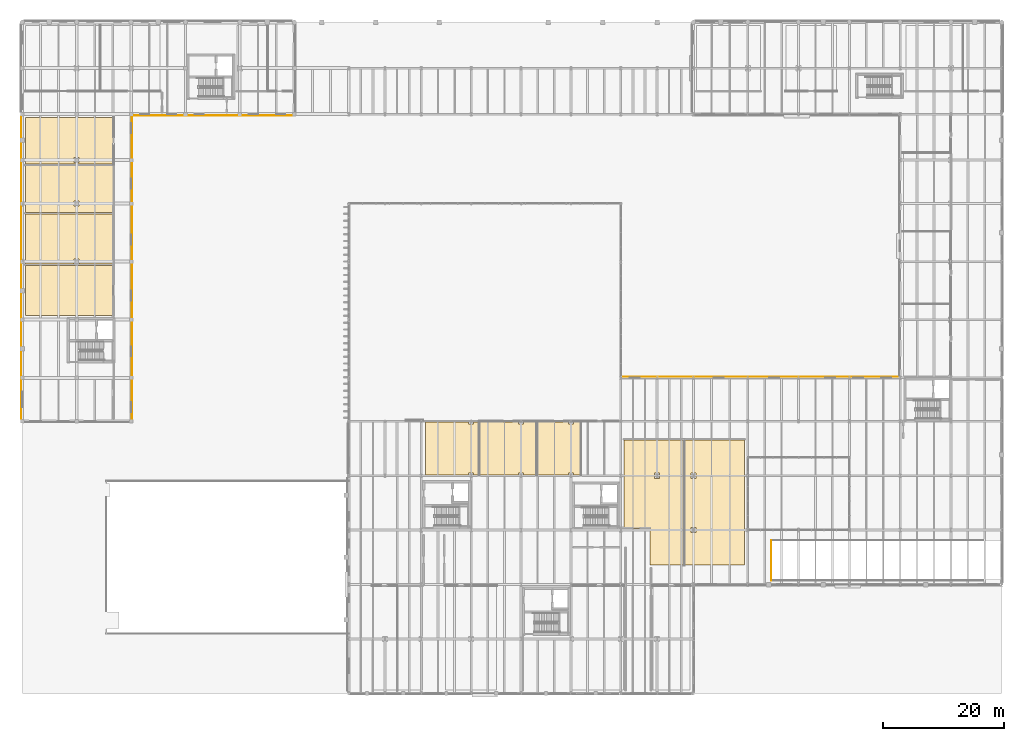
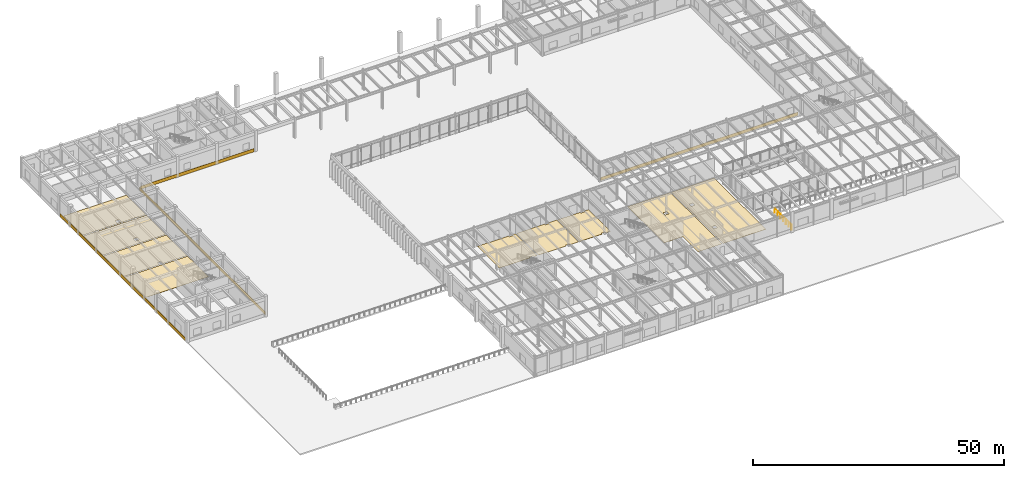
# One storey, part 55 of 64: 13 coverings, 1 railing.
"""IFC4 building model written with IfcOpenShell, lengths in metres."""

from ifc_helpers import new_model, si_unit, direction, frame, origin, origin_2d, place, context, subcontext, project, spatial, polyline, rectangle, circle, outline, extrude, material, layer, layer_set, type_object, element, save


model = new_model("IFC4")

# Units and contexts
model_context = context("Model", 3, precision=1e-05, world=origin(), true_north=direction((0.0, 1.0)))
body_context = subcontext(model_context, "Body", "Model", "MODEL_VIEW")
ifc_project = project(units=[si_unit("LENGTHUNIT", "METRE"), si_unit("AREAUNIT", "SQUARE_METRE"), si_unit("VOLUMEUNIT", "CUBIC_METRE"), si_unit("PLANEANGLEUNIT", "RADIAN"), si_unit("MASSUNIT", "GRAM", prefix="KILO")], contexts=[model_context])

# Site, building, storey
site_placement = place(None, origin())
site = spatial("IfcSite", under=ifc_project, at=site_placement, CompositionType="ELEMENT")
building_placement = place(site_placement, origin())
building = spatial("IfcBuilding", under=site, at=building_placement, Name="Montealbar Specialist Clinic", CompositionType="ELEMENT")
storey_placement = place(building_placement, origin())
storey = spatial("IfcBuildingStorey", under=building, at=storey_placement, Name="L00", CompositionType="ELEMENT", Elevation=0.0)

# Coverings
ifc_material_1 = material(Name="Guadarrama granite ashlar", Category="masonry")
ifc_layer_1 = layer(ifc_material_1, 0.06005859375, Name="Guadarrama granite ashlar", Category="masonry")
ifc_layer_set_1 = layer_set([ifc_layer_1], Name="Guadarrama granite ashlar")
covering_type_1 = type_object("IfcCoveringType", Name="COV-CLAD-GRANITE", PredefinedType="CLADDING", material=ifc_layer_set_1)
covering_1_placement = place(storey_placement, frame((31.5, 95.596923828125, 0.02978515625), z_axis=(0.0, 0.0, 1.0), x_axis=(-1.0, 0.0, 0.0)))
element("IfcCovering", 1, at=covering_1_placement, inside=storey, type_object=covering_type_1, Name="Facade Plinth Cladding Band L00-019", PredefinedType="CLADDING", context=body_context, shape_type="SweptSolid", body=[
    extrude(rectangle(XDim=26.199951171875, YDim=0.06005859375, at=origin_2d()), origin(), (0.0, 0.0, 1.0), 0.780029296875),
])
ifc_material_2 = material(Name="Terracotta architectural cladding", Category="masonry")
ifc_layer_2 = layer(ifc_material_2, 0.044921875, Name="Terracotta architectural cladding", Category="masonry")
ifc_layer_set_2 = layer_set([ifc_layer_2], Name="Terracotta architectural cladding")
covering_type_2 = type_object("IfcCoveringType", Name="COV-CLAD-TERRA", PredefinedType="CLADDING", material=ifc_layer_set_2)
covering_2_placement = place(storey_placement, frame((122.10009765625, 52.35107421875, 0.02978515625), z_axis=(0.0, 0.0, 1.0), x_axis=(1.0, 0.0, 0.0)))
element("IfcCovering", 2, at=covering_2_placement, inside=storey, type_object=covering_type_2, Name="Facade Plinth Cladding Band L00-004", PredefinedType="CLADDING", context=body_context, shape_type="SweptSolid", body=[
    extrude(rectangle(XDim=45.39990234375, YDim=0.044921875, at=origin_2d()), origin(), (0.0, 0.0, 1.0), 0.780029296875),
])
for number, where, z_axis, x_axis, name in (
    (3, (-0.160888671875, 70.39990234375, 0.02978515625), (0.0, 0.0, 1.0), (0.0, 1.0, 0.0), "Facade Plinth Cladding Band L00-015"),
    (4, (18.159912109375, 70.39990234375, 0.02978515625), (0.0, 0.0, 1.0), (0.0, -1.0, 0.0), "Facade Plinth Cladding Band L00-020"),
):
    element("IfcCovering", number, at=place(storey_placement, frame(where, z_axis=z_axis, x_axis=x_axis)), inside=storey, type_object=covering_type_2, Name=name, PredefinedType="CLADDING", context=body_context, shape_type="SweptSolid", body=[
        extrude(rectangle(XDim=50.0, YDim=0.044921875, at=origin_2d()), origin(), (0.0, 0.0, 1.0), 0.780029296875),
    ])
ifc_material_3 = material(Name="Antimicrobial clinical linoleum", Category="wood")
ifc_layer_3 = layer(ifc_material_3, 0.02001953125, Name="Antimicrobial clinical linoleum", Category="wood")
ifc_layer_set_3 = layer_set([ifc_layer_3], Name="Antimicrobial clinical linoleum")
covering_type_3 = type_object("IfcCoveringType", Name="COV-FLR-LINOLEUM", PredefinedType="FLOORING", material=ifc_layer_set_3)
covering_3_placement = place(storey_placement, origin())
element("IfcCovering", 5, at=covering_3_placement, inside=storey, type_object=covering_type_3, Name="Clinical Flooring 3T MRI Diagnostic Imaging Suite 01", PredefinedType="FLOORING", context=body_context, shape_type="SweptSolid", body=[
    extrude(outline(polyline([(0.530029296875, 70.77001953125), (14.969970703125, 70.77001953125), (14.969970703125, 62.530029296875), (0.530029296875, 62.530029296875), (0.530029296875, 70.77001953125)])), origin(), (0.0, 0.0, 1.0), 0.02001953125),
])
covering_4_placement = place(storey_placement, origin())
element("IfcCovering", 6, at=covering_4_placement, inside=storey, type_object=covering_type_3, Name="Clinical Flooring Dual-Source CT Scanner Imaging Room 01", PredefinedType="FLOORING", context=body_context, shape_type="SweptSolid", body=[
    extrude(outline(polyline([(0.530029296875, 79.27001953125), (14.969970703125, 79.27001953125), (14.969970703125, 71.030029296875), (9.419921875, 71.030029296875), (9.419921875, 71.820068359375), (8.580078125, 71.820068359375), (8.580078125, 71.030029296875), (0.530029296875, 71.030029296875), (0.530029296875, 79.27001953125)])), origin(), (0.0, 0.0, 1.0), 0.02001953125),
])
covering_5_placement = place(storey_placement, origin())
element("IfcCovering", 7, at=covering_5_placement, inside=storey, type_object=covering_type_3, Name="Clinical Flooring Digital X-Ray & Fluoroscopy Examination Room", PredefinedType="FLOORING", context=body_context, shape_type="SweptSolid", body=[
    extrude(outline(polyline([(0.530029296875, 87.27001953125), (14.969970703125, 87.27001953125), (14.969970703125, 79.530029296875), (0.530029296875, 79.530029296875), (0.530029296875, 87.27001953125)]), holes=[polyline([(9.419921875, 81.419921875), (8.580078125, 81.419921875), (8.580078125, 80.580078125), (9.419921875, 80.580078125), (9.419921875, 81.419921875)])]), origin(), (0.0, 0.0, 1.0), 0.02001953125),
])
covering_6_placement = place(storey_placement, origin())
element("IfcCovering", 8, at=covering_6_placement, inside=storey, type_object=covering_type_3, Name="Clinical Flooring Ultrasound & Mammography Diagnostic Clinic", PredefinedType="FLOORING", context=body_context, shape_type="SweptSolid", body=[
    extrude(outline(polyline([(0.530029296875, 95.27001953125), (14.969970703125, 95.27001953125), (14.969970703125, 87.530029296875), (0.530029296875, 87.530029296875), (0.530029296875, 95.27001953125)]), holes=[polyline([(9.419921875, 88.6201171875), (8.580078125, 88.6201171875), (8.580078125, 87.780029296875), (9.419921875, 87.780029296875), (9.419921875, 88.6201171875)])]), origin(), (0.0, 0.0, 1.0), 0.02001953125),
])
covering_7_placement = place(storey_placement, origin())
element("IfcCovering", 9, at=covering_7_placement, inside=storey, type_object=covering_type_3, Name="Clinical Flooring Patient Admissions & Specialist Triage Clinic", PredefinedType="FLOORING", context=body_context, shape_type="SweptSolid", body=[
    extrude(outline(polyline([(66.72998046875, 44.8701171875), (73.830078125, 44.8701171875), (73.830078125, 44.580078125), (74.669921875, 44.580078125), (74.669921875, 44.8701171875), (75.469970703125, 44.8701171875), (75.469970703125, 36.1298828125), (74.669921875, 36.1298828125), (74.669921875, 36.419921875), (73.830078125, 36.419921875), (73.830078125, 36.1298828125), (66.72998046875, 36.1298828125), (66.72998046875, 44.8701171875)])), origin(), (0.0, 0.0, 1.0), 0.02001953125),
])
covering_8_placement = place(storey_placement, origin())
element("IfcCovering", 10, at=covering_8_placement, inside=storey, type_object=covering_type_3, Name="Clinical Flooring Patient Cafe & Clinical Nutrition Bar", PredefinedType="FLOORING", context=body_context, shape_type="SweptSolid", body=[
    extrude(outline(polyline([(75.72998046875, 44.8701171875), (82.080078125, 44.8701171875), (82.080078125, 44.580078125), (82.919921875, 44.580078125), (82.919921875, 44.8701171875), (84.969970703125, 44.8701171875), (84.969970703125, 36.1298828125), (82.919921875, 36.1298828125), (82.919921875, 36.419921875), (82.080078125, 36.419921875), (82.080078125, 36.1298828125), (75.72998046875, 36.1298828125), (75.72998046875, 44.8701171875)])), origin(), (0.0, 0.0, 1.0), 0.02001953125),
])
covering_9_placement = place(storey_placement, origin())
element("IfcCovering", 11, at=covering_9_placement, inside=storey, type_object=covering_type_3, Name="Clinical Flooring Medical Mobility & Optics Shop", PredefinedType="FLOORING", context=body_context, shape_type="SweptSolid", body=[
    extrude(outline(polyline([(85.22998046875, 44.8701171875), (90.330078125, 44.8701171875), (90.330078125, 44.580078125), (91.169921875, 44.580078125), (91.169921875, 44.8701171875), (92.27001953125, 44.8701171875), (92.27001953125, 36.1298828125), (91.169921875, 36.1298828125), (91.169921875, 36.419921875), (90.330078125, 36.419921875), (90.330078125, 36.1298828125), (85.22998046875, 36.1298828125), (85.22998046875, 44.8701171875)])), origin(), (0.0, 0.0, 1.0), 0.02001953125),
])
covering_10_placement = place(storey_placement, origin())
element("IfcCovering", 12, at=covering_10_placement, inside=storey, type_object=covering_type_3, Name="Clinical Flooring Sports Medicine & Biomechanics Clinic", PredefinedType="FLOORING", context=body_context, shape_type="SweptSolid", body=[
    extrude(outline(polyline([(103.860107421875, 27.2900390625), (99.530029296875, 27.2900390625), (99.530029296875, 41.8701171875), (109.3701171875, 41.8701171875), (109.3701171875, 21.22998046875), (103.860107421875, 21.22998046875), (103.860107421875, 27.2900390625)]), holes=[polyline([(105.419921875, 36.419921875), (104.580078125, 36.419921875), (104.580078125, 35.580078125), (105.419921875, 35.580078125), (105.419921875, 36.419921875)])]), origin(), (0.0, 0.0, 1.0), 0.02001953125),
])
covering_11_placement = place(storey_placement, origin())
element("IfcCovering", 13, at=covering_11_placement, inside=storey, type_object=covering_type_3, Name="Clinical Flooring Prosthetics & Orthotics Fitting Room", PredefinedType="FLOORING", context=body_context, shape_type="SweptSolid", body=[
    extrude(outline(polyline([(109.6298828125, 41.8701171875), (119.469970703125, 41.8701171875), (119.469970703125, 21.22998046875), (109.6298828125, 21.22998046875), (109.6298828125, 41.8701171875)]), holes=[polyline([(111.419921875, 27.419921875), (110.580078125, 27.419921875), (110.580078125, 26.580078125), (111.419921875, 26.580078125), (111.419921875, 27.419921875)]), polyline([(111.419921875, 36.419921875), (110.580078125, 36.419921875), (110.580078125, 35.580078125), (111.419921875, 35.580078125), (111.419921875, 36.419921875)])]), origin(), (0.0, 0.0, 1.0), 0.02001953125),
])

# Railing
ifc_material_4 = material(Name="Steel S355", Category="steel")
ifc_layer_4 = layer(ifc_material_4, 0.06005859375, Name="Steel S355", Category="steel")
ifc_layer_set_4 = layer_set([ifc_layer_4], Name="Steel S355")
railing_type = type_object("IfcRailingType", Name="RAIL-EXT-BAL-1100", PredefinedType="BALUSTRADE", material=ifc_layer_set_4)
railing_placement = place(storey_placement, frame((123.8798828125, 18.679931640625, 0.0)))
element("IfcRailing", 14, at=railing_placement, inside=storey, type_object=railing_type, Name="Vehicle Ramp Pit Guard W", PredefinedType="BALUSTRADE", context=body_context, shape_type="SweptSolid", body=[
    extrude(circle(Radius=0.02392578125, at=origin_2d()), frame((0.0, 0.0, 1.09619140625), z_axis=(0.0, 1.0, 0.0), x_axis=(-1.0, 0.0, 0.0)), (0.0, 0.0, 1.0), 6.64013671875),
    extrude(circle(Radius=0.02099609375, at=origin_2d()), frame((0.0, 0.0, -0.02490234375)), (0.0, 0.0, 1.0), 1.096923828125),
    extrude(circle(Radius=0.02099609375, at=origin_2d()), frame((0.0, 1.106689453125, -0.02490234375)), (0.0, 0.0, 1.0), 1.096923828125),
    extrude(circle(Radius=0.02099609375, at=origin_2d()), frame((0.0, 2.21337890625, -0.02490234375)), (0.0, 0.0, 1.0), 1.096923828125),
    extrude(circle(Radius=0.02099609375, at=origin_2d()), frame((0.0, 3.320068359375, -0.02490234375)), (0.0, 0.0, 1.0), 1.096923828125),
    extrude(circle(Radius=0.02099609375, at=origin_2d()), frame((0.0, 4.4267578125, -0.02490234375)), (0.0, 0.0, 1.0), 1.096923828125),
    extrude(circle(Radius=0.02099609375, at=origin_2d()), frame((0.0, 5.533447265625, -0.02490234375)), (0.0, 0.0, 1.0), 1.096923828125),
    extrude(circle(Radius=0.02099609375, at=origin_2d()), frame((0.0, 6.64013671875, -0.02490234375)), (0.0, 0.0, 1.0), 1.096923828125),
])

save(model, "model.ifc")
